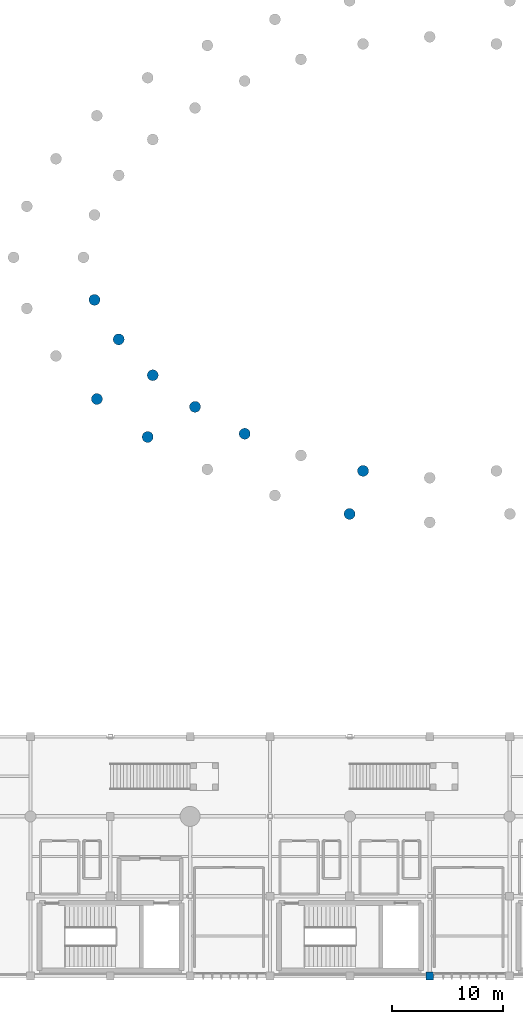
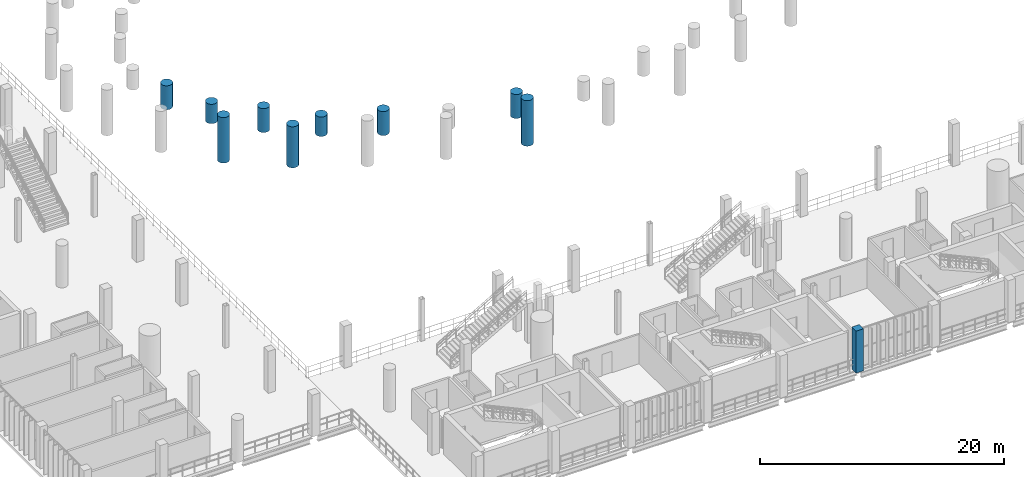
# One storey, part 4 of 130: 10 columns.
"""IFC4 building model written with IfcOpenShell, lengths in metres."""

from ifc_helpers import new_model, si_unit, direction, frame, origin, origin_2d, place, context, subcontext, project, spatial, rectangle, circle, extrude, material, material_profile, profile_set, type_object, element, save


model = new_model("IFC4")

# Units and contexts
model_context = context("Model", 3, precision=1e-05, world=origin(), true_north=direction((0.0, 1.0)))
body_context = subcontext(model_context, "Body", "Model", "MODEL_VIEW")
ifc_project = project(units=[si_unit("LENGTHUNIT", "METRE"), si_unit("AREAUNIT", "SQUARE_METRE"), si_unit("VOLUMEUNIT", "CUBIC_METRE"), si_unit("PLANEANGLEUNIT", "RADIAN"), si_unit("MASSUNIT", "GRAM", prefix="KILO")], contexts=[model_context])

# Site, building, storey
site_placement = place(None, origin())
site = spatial("IfcSite", under=ifc_project, at=site_placement, CompositionType="ELEMENT")
building_placement = place(site_placement, origin())
building = spatial("IfcBuilding", under=site, at=building_placement, Name="Qandorah Velis Arena", CompositionType="ELEMENT")
storey_placement = place(building_placement, frame((0.0, 0.0, 9.60009765625)))
storey = spatial("IfcBuildingStorey", under=building, at=storey_placement, Name="L02", CompositionType="ELEMENT", Elevation=9.60009765625)

# Columns
ifc_material = material(Name="Concrete C40/50", Category="concrete")
ifc_material_profile_1 = material_profile(ifc_material, rectangle(XDim=0.699951171875, YDim=0.699951171875, at=origin_2d()), Name="RC COL 700x700")
ifc_profile_set_1 = profile_set([ifc_material_profile_1], Name="Concrete C40/50")
column_type_1 = type_object("IfcColumnType", Name="STR-COL-RC700", PredefinedType="COLUMN", material=ifc_profile_set_1)
column_1_placement = place(storey_placement, frame((64.800048828125, 0.0, 0.0), z_axis=(0.0, 0.0, 1.0), x_axis=(1.0, 0.0, 0.0)))
element("IfcColumn", 1, at=column_1_placement, inside=storey, type_object=column_type_1, Name="Structural column L02-100", PredefinedType="COLUMN", context=body_context, shape_type="SweptSolid", body=[
    extrude(rectangle(XDim=0.699951171875, YDim=0.699951171875, at=origin_2d()), origin(), (0.0, 0.0, 1.0), 4.199951171875),
])
ifc_material_profile_2 = material_profile(ifc_material, circle(Radius=0.5, at=origin_2d()), Name="RC D1000")
ifc_profile_set_2 = profile_set([ifc_material_profile_2], Name="Concrete C40/50")
column_type_2 = type_object("IfcColumnType", Name="STR-COL-RCD1000", PredefinedType="COLUMN", material=ifc_profile_set_2)
column_2_placement = place(storey_placement, frame((34.573974609375, 60.9716796875, 0.0), z_axis=(0.0, 0.0, 1.0), x_axis=(1.0, 0.0, 0.0)))
element("IfcColumn", 2, at=column_2_placement, inside=storey, type_object=column_type_2, Name="Upper raker fulcrum column L02 9.2", PredefinedType="COLUMN", context=body_context, shape_type="SweptSolid", body=[
    extrude(circle(Radius=0.5, at=origin_2d()), origin(), (0.0, 0.0, 1.0), 2.39501953125),
])
column_3_placement = place(storey_placement, frame((36.760009765625, 57.404296875, 0.0), z_axis=(0.0, 0.0, 1.0), x_axis=(1.0, 0.0, 0.0)))
element("IfcColumn", 3, at=column_3_placement, inside=storey, type_object=column_type_2, Name="Upper raker fulcrum column L02 10.1", PredefinedType="COLUMN", context=body_context, shape_type="SweptSolid", body=[
    extrude(circle(Radius=0.5, at=origin_2d()), origin(), (0.0, 0.0, 1.0), 1.94482421875),
])
column_4_placement = place(storey_placement, frame((39.82763671875, 54.17529296875, 0.0), z_axis=(0.0, 0.0, 1.0), x_axis=(1.0, 0.0, 0.0)))
element("IfcColumn", 4, at=column_4_placement, inside=storey, type_object=column_type_2, Name="Upper raker fulcrum column L02 10.2", PredefinedType="COLUMN", context=body_context, shape_type="SweptSolid", body=[
    extrude(circle(Radius=0.5, at=origin_2d()), origin(), (0.0, 0.0, 1.0), 2.39501953125),
])
column_5_placement = place(storey_placement, frame((34.788330078125, 52.03125, 0.0), z_axis=(0.0, 0.0, 1.0), x_axis=(1.0, 0.0, 0.0)))
element("IfcColumn", 5, at=column_5_placement, inside=storey, type_object=column_type_2, Name="Outer bowl raker column L02 10.2", PredefinedType="COLUMN", context=body_context, shape_type="SweptSolid", body=[
    extrude(circle(Radius=0.5, at=origin_2d()), origin(), (0.0, 0.0, 1.0), 4.5595703125),
])
column_6_placement = place(storey_placement, frame((43.64013671875, 51.326416015625, 0.0), z_axis=(0.0, 0.0, 1.0), x_axis=(1.0, 0.0, 0.0)))
element("IfcColumn", 6, at=column_6_placement, inside=storey, type_object=column_type_2, Name="Upper raker fulcrum column L02 11.1", PredefinedType="COLUMN", context=body_context, shape_type="SweptSolid", body=[
    extrude(circle(Radius=0.5, at=origin_2d()), origin(), (0.0, 0.0, 1.0), 1.94482421875),
])
column_7_placement = place(storey_placement, frame((39.370361328125, 48.607666015625, 0.0), z_axis=(0.0, 0.0, 1.0), x_axis=(1.0, 0.0, 0.0)))
element("IfcColumn", 7, at=column_7_placement, inside=storey, type_object=column_type_2, Name="Outer bowl raker column L02 11.1", PredefinedType="COLUMN", context=body_context, shape_type="SweptSolid", body=[
    extrude(circle(Radius=0.5, at=origin_2d()), origin(), (0.0, 0.0, 1.0), 4.109619140625),
])
for number, where, z_axis, x_axis, name in (
    (8, (48.114013671875, 48.898681640625, 0.0), (0.0, 0.0, 1.0), (1.0, 0.0, 0.0), "Upper raker fulcrum column L02 11.2"),
    (9, (58.78759765625, 45.553466796875, 0.0), (0.0, 0.0, 1.0), (1.0, 0.0, 0.0), "Upper raker fulcrum column L02 12.2"),
):
    element("IfcColumn", number, at=place(storey_placement, frame(where, z_axis=z_axis, x_axis=x_axis)), inside=storey, type_object=column_type_2, Name=name, PredefinedType="COLUMN", context=body_context, shape_type="SweptSolid", body=[
        extrude(circle(Radius=0.5, at=origin_2d()), origin(), (0.0, 0.0, 1.0), 2.39501953125),
    ])
column_8_placement = place(storey_placement, frame((57.574462890625, 41.669677734375, 0.0), z_axis=(0.0, 0.0, 1.0), x_axis=(1.0, 0.0, 0.0)))
element("IfcColumn", 10, at=column_8_placement, inside=storey, type_object=column_type_2, Name="Outer bowl raker column L02 12.2", PredefinedType="COLUMN", context=body_context, shape_type="SweptSolid", body=[
    extrude(circle(Radius=0.5, at=origin_2d()), origin(), (0.0, 0.0, 1.0), 4.5595703125),
])

save(model, "model.ifc")
